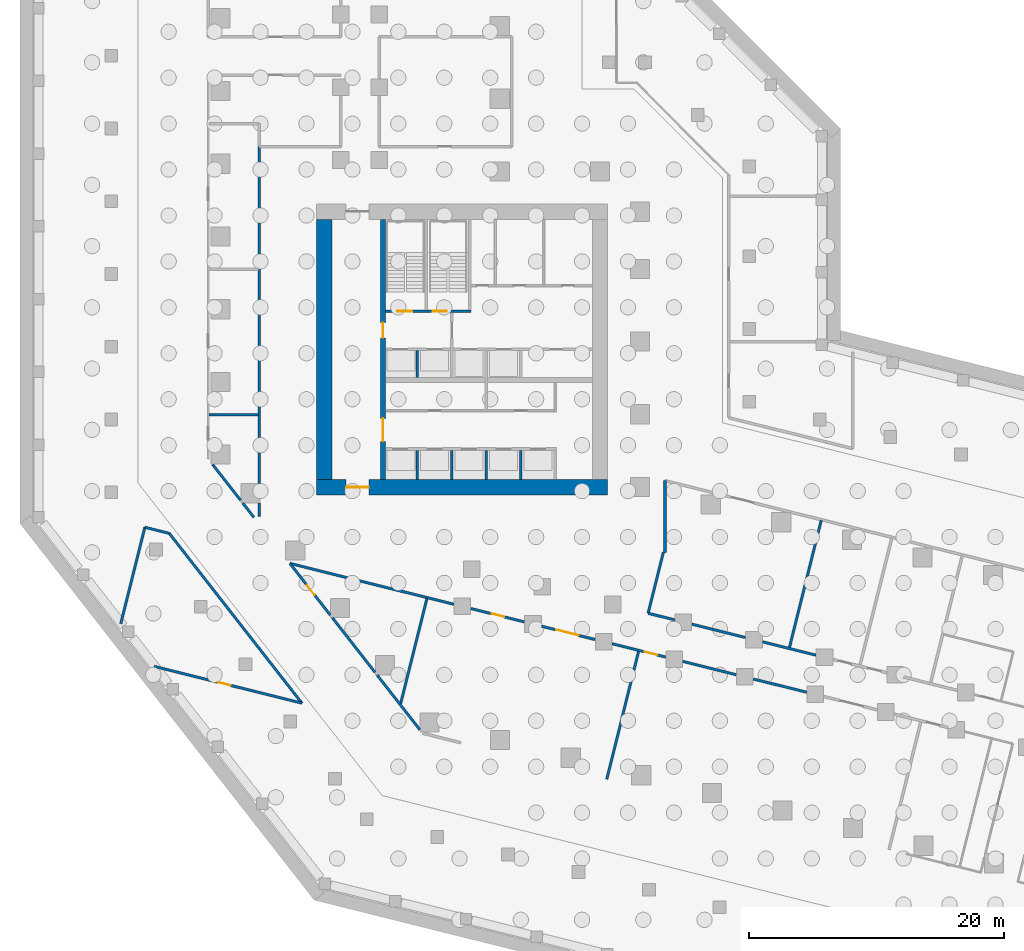
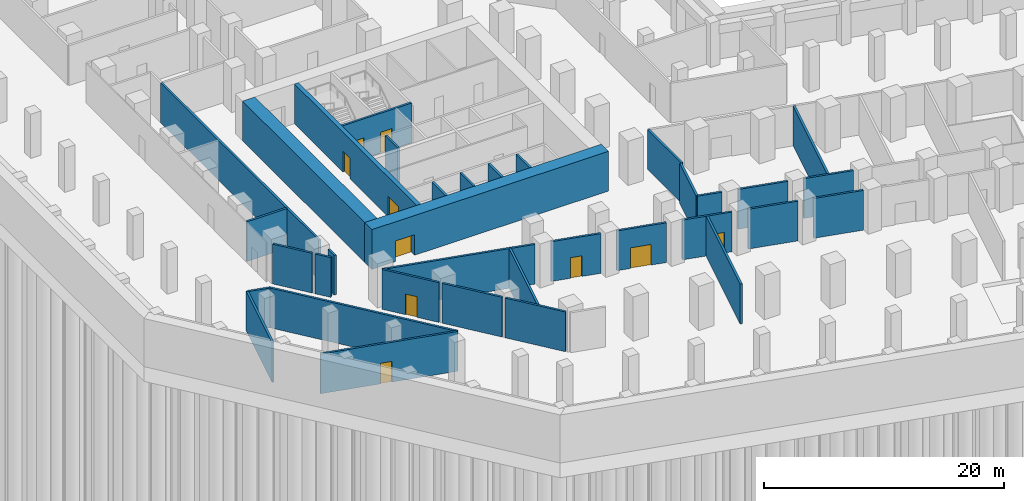
# One storey, part 6 of 15: 35 walls, 10 doors, 10 openings.
"""IFC4 building model written with IfcOpenShell, lengths in metres."""

from ifc_helpers import new_model, si_unit, direction, frame, frame_2d, origin, place, context, subcontext, project, spatial, rectangle, extrude, material, layer, layer_set, type_object, element, fill, save


model = new_model("IFC4")

# Units and contexts
model_context = context("Model", 3, precision=1e-05, world=origin(), true_north=direction((0.0, 1.0)))
body_context = subcontext(model_context, "Body", "Model", "MODEL_VIEW")
ifc_project = project(units=[si_unit("LENGTHUNIT", "METRE"), si_unit("AREAUNIT", "SQUARE_METRE"), si_unit("VOLUMEUNIT", "CUBIC_METRE"), si_unit("PLANEANGLEUNIT", "RADIAN"), si_unit("MASSUNIT", "GRAM", prefix="KILO")], contexts=[model_context])

# Site, building, storey
site_placement = place(None, origin())
site = spatial("IfcSite", under=ifc_project, at=site_placement, CompositionType="ELEMENT")
building_placement = place(site_placement, origin())
building = spatial("IfcBuilding", under=site, at=building_placement, Name="Meshkara Civic Tower", CompositionType="ELEMENT")
storey_placement = place(building_placement, frame((0.0, 0.0, -9.0)))
storey = spatial("IfcBuildingStorey", under=building, at=storey_placement, Name="B2", CompositionType="ELEMENT", Elevation=-9.0)

# Wall, opening, door
ifc_material_1 = material(Name="Concrete C80", Category="concrete")
ifc_layer_1 = layer(ifc_material_1, 1.199951171875)
ifc_layer_set_1 = layer_set([ifc_layer_1], Name="Core ring wall 1200 C80")
wall_type_1 = type_object("IfcWallType", Name="Core ring wall 1200 C80", PredefinedType="SHEAR", material=ifc_layer_set_1)
wall_1_placement = place(storey_placement, frame((8.0, 14.699951171875, 0.0), z_axis=(0.0, 0.0, 1.0), x_axis=(1.0, 0.0, 0.0)))
wall_1 = element("IfcWall", 1, at=wall_1_placement, inside=storey, type_object=wall_type_1, Name="B2-C001", PredefinedType="SHEAR", context=body_context, shape_type="SweptSolid", body=[
    extrude(rectangle(XDim=22.800048828125, YDim=1.199951171875, at=frame_2d((11.39990234375, 0.0))), origin(), (0.0, 0.0, 1.0), 4.050048828125),
])
opening_1_placement = place(wall_1_placement, frame((2.300048828125, 0.0, 0.0)))
opening_1 = element("IfcOpeningElement", 2, at=opening_1_placement, cuts=wall_1, Name="Opening B2-K022", PredefinedType="OPENING", context=body_context, shape_type="SweptSolid", body=[
    extrude(rectangle(XDim=1.800048828125, YDim=2.10009765625, at=frame_2d((0.89990234375, 1.050048828125))), frame((0.0, 0.60986328125, 0.0), z_axis=(0.0, -1.0, 0.0), x_axis=(1.0, 0.0, 0.0)), (0.0, 0.0, 1.0), 1.219970703125),
])
ifc_material_2 = material(Name="Fire-rated door leaf in steel frame", Category="steel")
door_type_1 = type_object("IfcDoorType", Name="Core double door 1800 EI 60", OperationType="DOUBLE_DOOR_SINGLE_SWING", PredefinedType="DOOR", material=ifc_material_2)
door_1_placement = place(opening_1_placement, origin())
door_1 = element("IfcDoor", 3, at=door_1_placement, inside=storey, type_object=door_type_1, Name="B2-K022", OperationType="DOUBLE_DOOR_SINGLE_SWING", OverallHeight=2.10009765625, OverallWidth=1.800048828125, PredefinedType="DOOR", context=body_context, shape_type="SweptSolid", body=[
    extrude(rectangle(XDim=1.800048828125, YDim=2.10009765625, at=frame_2d((0.89990234375, 1.050048828125))), frame((0.0, 0.02490234375, 0.0), z_axis=(0.0, -1.0, 0.0), x_axis=(1.0, 0.0, 0.0)), (0.0, 0.0, 1.0), 0.050048828125),
])
fill(opening_1, door_1)

# Wall
wall_2_placement = place(storey_placement, frame((8.60009765625, 15.300048828125, 0.0), z_axis=(0.0, 0.0, 1.0), x_axis=(0.0, 1.0, 0.0)))
element("IfcWall", 4, at=wall_2_placement, inside=storey, type_object=wall_type_1, Name="B2-C003", PredefinedType="SHEAR", context=body_context, shape_type="SweptSolid", body=[
    extrude(rectangle(XDim=20.39990234375, YDim=1.199951171875, at=frame_2d((10.199951171875, 0.0))), origin(), (0.0, 0.0, 1.0), 4.050048828125),
])

# Wall, openings, doors
ifc_material_3 = material(Name="Concrete C80", Category="concrete")
ifc_layer_2 = layer(ifc_material_3, 0.39990234375)
ifc_layer_set_2 = layer_set([ifc_layer_2], Name="Core shear wall 400 C80")
wall_type_2 = type_object("IfcWallType", Name="Core shear wall 400 C80", PredefinedType="SHEAR", material=ifc_layer_set_2)
wall_3_placement = place(storey_placement, frame((13.199951171875, 15.300048828125, 0.0), z_axis=(0.0, 0.0, 1.0), x_axis=(0.0, 1.0, 0.0)))
wall_3 = element("IfcWall", 5, at=wall_3_placement, inside=storey, type_object=wall_type_2, Name="B2-C011", PredefinedType="SHEAR", context=body_context, shape_type="SweptSolid", body=[
    extrude(rectangle(XDim=20.39990234375, YDim=0.39990234375, at=frame_2d((10.199951171875, 0.0))), origin(), (0.0, 0.0, 1.0), 4.050048828125),
])
opening_2_placement = place(wall_3_placement, frame((3.0, 0.0, 0.0)))
opening_2 = element("IfcOpeningElement", 6, at=opening_2_placement, cuts=wall_3, Name="Opening B2-K018", PredefinedType="OPENING", context=body_context, shape_type="SweptSolid", body=[
    extrude(rectangle(XDim=1.800048828125, YDim=2.10009765625, at=frame_2d((0.89990234375, 1.050048828125))), frame((0.0, 0.2099609375, 0.0), z_axis=(0.0, -1.0, 0.0), x_axis=(1.0, 0.0, 0.0)), (0.0, 0.0, 1.0), 0.419921875),
])
opening_3_placement = place(wall_3_placement, frame((11.10009765625, 0.0, 0.0)))
opening_3 = element("IfcOpeningElement", 7, at=opening_3_placement, cuts=wall_3, Name="Opening B2-K019", PredefinedType="OPENING", context=body_context, shape_type="SweptSolid", body=[
    extrude(rectangle(XDim=1.199951171875, YDim=2.10009765625, at=frame_2d((0.60009765625, 1.050048828125))), frame((0.0, 0.2099609375, 0.0), z_axis=(0.0, -1.0, 0.0), x_axis=(1.0, 0.0, 0.0)), (0.0, 0.0, 1.0), 0.419921875),
])
door_2_placement = place(opening_2_placement, origin())
door_2 = element("IfcDoor", 8, at=door_2_placement, inside=storey, type_object=door_type_1, Name="B2-K018", OperationType="DOUBLE_DOOR_SINGLE_SWING", OverallHeight=2.10009765625, OverallWidth=1.800048828125, PredefinedType="DOOR", context=body_context, shape_type="SweptSolid", body=[
    extrude(rectangle(XDim=1.800048828125, YDim=2.10009765625, at=frame_2d((0.89990234375, 1.050048828125))), frame((0.0, 0.02490234375, 0.0), z_axis=(0.0, -1.0, 0.0), x_axis=(1.0, 0.0, 0.0)), (0.0, 0.0, 1.0), 0.050048828125),
])
fill(opening_2, door_2)
ifc_material_4 = material(Name="Fire-rated door leaf in steel frame", Category="steel")
door_type_2 = type_object("IfcDoorType", Name="Fire-fighting lobby door 1200 EI 120", OperationType="SINGLE_SWING_LEFT", PredefinedType="DOOR", material=ifc_material_4)
door_3_placement = place(opening_3_placement, origin())
door_3 = element("IfcDoor", 9, at=door_3_placement, inside=storey, type_object=door_type_2, Name="B2-K019", OperationType="SINGLE_SWING_LEFT", OverallHeight=2.10009765625, OverallWidth=1.199951171875, PredefinedType="DOOR", context=body_context, shape_type="SweptSolid", body=[
    extrude(rectangle(XDim=1.199951171875, YDim=2.10009765625, at=frame_2d((0.60009765625, 1.050048828125))), frame((0.0, 0.02490234375, 0.0), z_axis=(0.0, -1.0, 0.0), x_axis=(1.0, 0.0, 0.0)), (0.0, 0.0, 1.0), 0.050048828125),
])
fill(opening_3, door_3)

# Walls
ifc_material_5 = material(Name="Fire-rated wall 200")
ifc_layer_3 = layer(ifc_material_5, 0.199951171875)
ifc_layer_set_3 = layer_set([ifc_layer_3], Name="Fire-rated wall 200")
wall_type_3 = type_object("IfcWallType", Name="Fire-rated wall 200", PredefinedType="PARTITIONING", material=ifc_layer_set_3)
wall_4_placement = place(storey_placement, frame((-7.347900390625, 4.009033203125, 0.0), z_axis=(0.0, 0.0, 1.0), x_axis=(0.24190854342, 0.970299055251, 0.0)))
element("IfcWall", 10, at=wall_4_placement, inside=storey, type_object=wall_type_3, Name="B2-R001", PredefinedType="PARTITIONING", context=body_context, shape_type="SweptSolid", body=[
    extrude(rectangle(XDim=7.787109375, YDim=0.199951171875, at=frame_2d((3.8935546875, 0.0))), origin(), (0.0, 0.0, 1.0), 4.050048828125),
])
wall_5_placement = place(storey_placement, frame((-5.464111328125, 11.56494140625, 0.0), z_axis=(0.0, 0.0, 1.0), x_axis=(0.970258984685, -0.242069210428, 0.0)))
element("IfcWall", 11, at=wall_5_placement, inside=storey, type_object=wall_type_3, Name="B2-R002", PredefinedType="PARTITIONING", context=body_context, shape_type="SweptSolid", body=[
    extrude(rectangle(XDim=1.970703125, YDim=0.199951171875, at=frame_2d((0.9853515625, 0.0))), origin(), (0.0, 0.0, 1.0), 4.050048828125),
])
wall_6_placement = place(storey_placement, frame((-3.552001953125, 11.087890625, 0.0), z_axis=(0.0, 0.0, 1.0), x_axis=(0.615667322889, -0.788006184954, 0.0)))
element("IfcWall", 12, at=wall_6_placement, inside=storey, type_object=wall_type_3, Name="B2-R003", PredefinedType="PARTITIONING", context=body_context, shape_type="SweptSolid", body=[
    extrude(rectangle(XDim=16.890380859375, YDim=0.199951171875, at=frame_2d((8.4453125, 0.0))), origin(), (0.0, 0.0, 1.0), 4.050048828125),
])
wall_7_placement = place(storey_placement, frame((2.0439453125, 13.672119140625, 0.0), z_axis=(0.0, 0.0, 1.0), x_axis=(-0.615705088294, 0.787976677477, 0.0)))
element("IfcWall", 13, at=wall_7_placement, inside=storey, type_object=wall_type_3, Name="B2-R010", PredefinedType="PARTITIONING", context=body_context, shape_type="SweptSolid", body=[
    extrude(rectangle(XDim=3.56982421875, YDim=0.199951171875, at=frame_2d((1.784912109375, 0.0))), origin(), (0.0, 0.0, 1.0), 4.050048828125),
])
wall_8_placement = place(storey_placement, frame((3.0791015625, 12.346923828125, 0.0), z_axis=(0.0, 0.0, 1.0), x_axis=(-0.61579508321, 0.787906349444, 0.0)))
element("IfcWall", 14, at=wall_8_placement, inside=storey, type_object=wall_type_3, Name="B2-R011", PredefinedType="PARTITIONING", context=body_context, shape_type="SweptSolid", body=[
    extrude(rectangle(XDim=1.411376953125, YDim=0.199951171875, at=frame_2d((0.70556640625, 0.0))), origin(), (0.0, 0.0, 1.0), 4.050048828125),
])
wall_9_placement = place(storey_placement, frame((3.5, 13.458984375, 0.0), z_axis=(0.0, 0.0, 1.0), x_axis=(0.0, -1.0, 0.0)))
element("IfcWall", 15, at=wall_9_placement, inside=storey, type_object=wall_type_3, Name="B2-R012", PredefinedType="PARTITIONING", context=body_context, shape_type="SweptSolid", body=[
    extrude(rectangle(XDim=1.035888671875, YDim=0.199951171875, at=frame_2d((0.51806640625, 0.0))), origin(), (0.0, 0.0, 1.0), 4.050048828125),
])
wall_10_placement = place(storey_placement, frame((3.5, 14.9990234375, 0.0), z_axis=(0.0, 0.0, 1.0), x_axis=(0.0, 1.0, 0.0)))
element("IfcWall", 16, at=wall_10_placement, inside=storey, type_object=wall_type_3, Name="B2-R013", PredefinedType="PARTITIONING", context=body_context, shape_type="SweptSolid", body=[
    extrude(rectangle(XDim=26.40087890625, YDim=0.199951171875, at=frame_2d((13.200439453125, 0.0))), origin(), (0.0, 0.0, 1.0), 4.050048828125),
])
wall_11_placement = place(storey_placement, frame((5.904052734375, 8.73095703125, 0.0), z_axis=(0.0, 0.0, 1.0), x_axis=(0.970295210336, -0.241923964912, 0.0)))
element("IfcWall", 17, at=wall_11_placement, inside=storey, type_object=wall_type_3, Name="B2-R014", PredefinedType="PARTITIONING", context=body_context, shape_type="SweptSolid", body=[
    extrude(rectangle(XDim=13.2431640625, YDim=0.199951171875, at=frame_2d((6.62158203125, 0.0))), origin(), (0.0, 0.0, 1.0), 4.050048828125),
])

# Wall, opening, door
wall_12_placement = place(storey_placement, frame((6.846923828125, -2.221923828125, 0.0), z_axis=(0.0, 0.0, 1.0), x_axis=(-0.970315491491, 0.241842607851, 0.0)))
wall_12 = element("IfcWall", 18, at=wall_12_placement, inside=storey, type_object=wall_type_3, Name="B2-R015", PredefinedType="PARTITIONING", context=body_context, shape_type="SweptSolid", body=[
    extrude(rectangle(XDim=11.937255859375, YDim=0.199951171875, at=frame_2d((5.96875, 0.0))), origin(), (0.0, 0.0, 1.0), 4.050048828125),
])
opening_4_placement = place(wall_12_placement, frame((5.75, 0.0, 0.0)))
opening_4 = element("IfcOpeningElement", 19, at=opening_4_placement, cuts=wall_12, Name="Opening B2-P003", PredefinedType="OPENING", context=body_context, shape_type="SweptSolid", body=[
    extrude(rectangle(XDim=1.0, YDim=2.10009765625, at=frame_2d((0.5, 1.050048828125))), frame((0.0, 0.10986328125, 0.0), z_axis=(0.0, -1.0, 0.0), x_axis=(1.0, 0.0, 0.0)), (0.0, 0.0, 1.0), 0.219970703125),
])
ifc_material_6 = material(Name="Door 1000 x 2100")
door_type_3 = type_object("IfcDoorType", Name="Door 1000 x 2100", OperationType="SINGLE_SWING_LEFT", PredefinedType="DOOR", material=ifc_material_6)
door_4_placement = place(opening_4_placement, origin())
door_4 = element("IfcDoor", 20, at=door_4_placement, inside=storey, type_object=door_type_3, Name="B2-P003", OperationType="SINGLE_SWING_RIGHT", OverallHeight=2.10009765625, OverallWidth=1.0, PredefinedType="DOOR", context=body_context, shape_type="SweptSolid", body=[
    extrude(rectangle(XDim=1.0, YDim=2.10009765625, at=frame_2d((0.5, 1.050048828125))), frame((0.0, 0.02490234375, 0.0), z_axis=(0.0, -1.0, 0.0), x_axis=(1.0, 0.0, 0.0)), (0.0, 0.0, 1.0), 0.050048828125),
])
fill(opening_4, door_4)

wall_13_placement = place(storey_placement, frame((9.06298828125, 4.68798828125, 0.0), z_axis=(0.0, 0.0, 1.0), x_axis=(-0.615688364166, 0.787989745003, 0.0)))
wall_13 = element("IfcWall", 21, at=wall_13_placement, inside=storey, type_object=wall_type_3, Name="B2-R016", PredefinedType="PARTITIONING", context=body_context, shape_type="SweptSolid", body=[
    extrude(rectangle(XDim=5.130859375, YDim=0.199951171875, at=frame_2d((2.5654296875, 0.0))), origin(), (0.0, 0.0, 1.0), 4.050048828125),
])
opening_5_placement = place(wall_13_placement, frame((1.97998046875, 0.0, 0.0)))
opening_5 = element("IfcOpeningElement", 22, at=opening_5_placement, cuts=wall_13, Name="Opening B2-P014", PredefinedType="OPENING", context=body_context, shape_type="SweptSolid", body=[
    extrude(rectangle(XDim=1.0, YDim=2.10009765625, at=frame_2d((0.5, 1.050048828125))), frame((0.0, 0.10986328125, 0.0), z_axis=(0.0, -1.0, 0.0), x_axis=(1.0, 0.0, 0.0)), (0.0, 0.0, 1.0), 0.219970703125),
])
door_5_placement = place(opening_5_placement, origin())
door_5 = element("IfcDoor", 23, at=door_5_placement, inside=storey, type_object=door_type_3, Name="B2-P014", OperationType="SINGLE_SWING_RIGHT", OverallHeight=2.10009765625, OverallWidth=1.0, PredefinedType="DOOR", context=body_context, shape_type="SweptSolid", body=[
    extrude(rectangle(XDim=1.0, YDim=2.10009765625, at=frame_2d((0.5, 1.050048828125))), frame((0.0, 0.02490234375, 0.0), z_axis=(0.0, -1.0, 0.0), x_axis=(1.0, 0.0, 0.0)), (0.0, 0.0, 1.0), 0.050048828125),
])
fill(opening_5, door_5)

# Walls
wall_14_placement = place(storey_placement, frame((12.572021484375, 0.196044921875, 0.0), z_axis=(0.0, 0.0, 1.0), x_axis=(-0.615644914463, 0.78802369209, 0.0)))
element("IfcWall", 24, at=wall_14_placement, inside=storey, type_object=wall_type_3, Name="B2-R026", PredefinedType="PARTITIONING", context=body_context, shape_type="SweptSolid", body=[
    extrude(rectangle(XDim=5.43017578125, YDim=0.199951171875, at=frame_2d((2.715087890625, 0.0))), origin(), (0.0, 0.0, 1.0), 4.050048828125),
])
wall_15_placement = place(storey_placement, frame((12.738037109375, -0.01611328125, 0.0), z_axis=(0.0, 0.0, 1.0), x_axis=(0.61566672729, -0.788006650294, 0.0)))
element("IfcWall", 25, at=wall_15_placement, inside=storey, type_object=wall_type_3, Name="B2-R027", PredefinedType="PARTITIONING", context=body_context, shape_type="SweptSolid", body=[
    extrude(rectangle(XDim=5.429931640625, YDim=0.199951171875, at=frame_2d((2.71484375, 0.0))), origin(), (0.0, 0.0, 1.0), 4.050048828125),
])

# Wall, opening, door
wall_16_placement = place(storey_placement, frame((20.093994140625, 5.193115234375, 0.0), z_axis=(0.0, 0.0, 1.0), x_axis=(0.970321828551, -0.241817181023, 0.0)))
wall_16 = element("IfcWall", 26, at=wall_16_placement, inside=storey, type_object=wall_type_3, Name="B2-R036", PredefinedType="PARTITIONING", context=body_context, shape_type="SweptSolid", body=[
    extrude(rectangle(XDim=4.318115234375, YDim=0.199951171875, at=frame_2d((2.1591796875, 0.0))), origin(), (0.0, 0.0, 1.0), 4.050048828125),
])
opening_6_placement = place(wall_16_placement, frame((1.679931640625, 0.0, 0.0)))
opening_6 = element("IfcOpeningElement", 27, at=opening_6_placement, cuts=wall_16, Name="Opening B2-P009", PredefinedType="OPENING", context=body_context, shape_type="SweptSolid", body=[
    extrude(rectangle(XDim=1.0, YDim=2.10009765625, at=frame_2d((0.5, 1.050048828125))), frame((0.0, 0.10986328125, 0.0), z_axis=(0.0, -1.0, 0.0), x_axis=(1.0, 0.0, 0.0)), (0.0, 0.0, 1.0), 0.219970703125),
])
door_6_placement = place(opening_6_placement, origin())
door_6 = element("IfcDoor", 28, at=door_6_placement, inside=storey, type_object=door_type_3, Name="B2-P009", OperationType="SINGLE_SWING_RIGHT", OverallHeight=2.10009765625, OverallWidth=1.0, PredefinedType="DOOR", context=body_context, shape_type="SweptSolid", body=[
    extrude(rectangle(XDim=1.0, YDim=2.10009765625, at=frame_2d((0.5, 1.050048828125))), frame((0.0, 0.02490234375, 0.0), z_axis=(0.0, -1.0, 0.0), x_axis=(1.0, 0.0, 0.0)), (0.0, 0.0, 1.0), 0.050048828125),
])
fill(opening_6, door_6)

wall_17_placement = place(storey_placement, frame((25.6240234375, 3.81396484375, 0.0), z_axis=(0.0, 0.0, 1.0), x_axis=(0.970295255208, -0.241923784941, 0.0)))
wall_17 = element("IfcWall", 29, at=wall_17_placement, inside=storey, type_object=wall_type_3, Name="B2-R041", PredefinedType="PARTITIONING", context=body_context, shape_type="SweptSolid", body=[
    extrude(rectangle(XDim=4.3193359375, YDim=0.199951171875, at=frame_2d((2.15966796875, 0.0))), origin(), (0.0, 0.0, 1.0), 4.050048828125),
])
opening_7_placement = place(wall_17_placement, frame((1.179931640625, 0.0, 0.0)))
opening_7 = element("IfcOpeningElement", 30, at=opening_7_placement, cuts=wall_17, Name="Opening B2-P010", PredefinedType="OPENING", context=body_context, shape_type="SweptSolid", body=[
    extrude(rectangle(XDim=1.800048828125, YDim=2.10009765625, at=frame_2d((0.89990234375, 1.050048828125))), frame((0.0, 0.10986328125, 0.0), z_axis=(0.0, -1.0, 0.0), x_axis=(1.0, 0.0, 0.0)), (0.0, 0.0, 1.0), 0.219970703125),
])
ifc_material_7 = material(Name="Door pair 1800 x 2100")
door_type_4 = type_object("IfcDoorType", Name="Door pair 1800 x 2100", OperationType="SINGLE_SWING_LEFT", PredefinedType="DOOR", material=ifc_material_7)
door_7_placement = place(opening_7_placement, origin())
door_7 = element("IfcDoor", 31, at=door_7_placement, inside=storey, type_object=door_type_4, Name="B2-P010", OperationType="DOUBLE_DOOR_SINGLE_SWING", OverallHeight=2.10009765625, OverallWidth=1.800048828125, PredefinedType="DOOR", context=body_context, shape_type="SweptSolid", body=[
    extrude(rectangle(XDim=1.800048828125, YDim=2.10009765625, at=frame_2d((0.89990234375, 1.050048828125))), frame((0.0, 0.02490234375, 0.0), z_axis=(0.0, -1.0, 0.0), x_axis=(1.0, 0.0, 0.0)), (0.0, 0.0, 1.0), 0.050048828125),
])
fill(opening_7, door_7)

wall_18_placement = place(storey_placement, frame((31.155029296875, 2.43505859375, 0.0), z_axis=(0.0, 0.0, 1.0), x_axis=(0.97028198557, -0.241976999897, 0.0)))
wall_18 = element("IfcWall", 32, at=wall_18_placement, inside=storey, type_object=wall_type_3, Name="B2-R042", PredefinedType="PARTITIONING", context=body_context, shape_type="SweptSolid", body=[
    extrude(rectangle(XDim=4.3193359375, YDim=0.199951171875, at=frame_2d((2.15966796875, 0.0))), origin(), (0.0, 0.0, 1.0), 4.050048828125),
])
opening_8_placement = place(wall_18_placement, frame((2.638916015625, 0.0, 0.0)))
opening_8 = element("IfcOpeningElement", 33, at=opening_8_placement, cuts=wall_18, Name="Opening B2-P011", PredefinedType="OPENING", context=body_context, shape_type="SweptSolid", body=[
    extrude(rectangle(XDim=1.0, YDim=2.10009765625, at=frame_2d((0.5, 1.050048828125))), frame((0.0, 0.10986328125, 0.0), z_axis=(0.0, -1.0, 0.0), x_axis=(1.0, 0.0, 0.0)), (0.0, 0.0, 1.0), 0.219970703125),
])
door_8_placement = place(opening_8_placement, origin())
door_8 = element("IfcDoor", 34, at=door_8_placement, inside=storey, type_object=door_type_3, Name="B2-P011", OperationType="SINGLE_SWING_RIGHT", OverallHeight=2.10009765625, OverallWidth=1.0, PredefinedType="DOOR", context=body_context, shape_type="SweptSolid", body=[
    extrude(rectangle(XDim=1.0, YDim=2.10009765625, at=frame_2d((0.5, 1.050048828125))), frame((0.0, 0.02490234375, 0.0), z_axis=(0.0, -1.0, 0.0), x_axis=(1.0, 0.0, 0.0)), (0.0, 0.0, 1.0), 0.050048828125),
])
fill(opening_8, door_8)

# Walls
wall_19_placement = place(storey_placement, frame((33.97607421875, 4.823974609375, 0.0), z_axis=(0.0, 0.0, 1.0), x_axis=(0.241940400058, 0.970291112409, 0.0)))
element("IfcWall", 35, at=wall_19_placement, inside=storey, type_object=wall_type_3, Name="B2-R046", PredefinedType="PARTITIONING", context=body_context, shape_type="SweptSolid", body=[
    extrude(rectangle(XDim=4.92236328125, YDim=0.199951171875, at=frame_2d((2.461181640625, 0.0))), origin(), (0.0, 0.0, 1.0), 4.050048828125),
])
wall_20_placement = place(storey_placement, frame((35.300048828125, 9.60009765625, 0.0), z_axis=(0.0, 0.0, 1.0), x_axis=(0.0, 1.0, 0.0)))
element("IfcWall", 36, at=wall_20_placement, inside=storey, type_object=wall_type_3, Name="B2-R047", PredefinedType="PARTITIONING", context=body_context, shape_type="SweptSolid", body=[
    extrude(rectangle(XDim=5.61279296875, YDim=0.199951171875, at=frame_2d((2.806396484375, 0.0))), origin(), (0.0, 0.0, 1.0), 4.050048828125),
])
wall_21_placement = place(storey_placement, frame((36.072021484375, 4.301025390625, 0.0), z_axis=(0.0, 0.0, 1.0), x_axis=(-0.970255412337, 0.242083528623, 0.0)))
element("IfcWall", 37, at=wall_21_placement, inside=storey, type_object=wall_type_3, Name="B2-R049", PredefinedType="PARTITIONING", context=body_context, shape_type="SweptSolid", body=[
    extrude(rectangle(XDim=2.16015625, YDim=0.199951171875, at=frame_2d((1.080078125, 0.0))), origin(), (0.0, 0.0, 1.0), 4.050048828125),
])
for number, where, z_axis, x_axis, name in (
    (38, (36.68603515625, 1.055908203125, 0.0), (0.0, 0.0, 1.0), (0.970335093604, -0.241763947107, 0.0), "B2-R050"),
    (39, (41.60205078125, 2.923095703125, 0.0), (0.0, 0.0, 1.0), (-0.970335093604, 0.241763947107, 0.0), "B2-R053"),
):
    element("IfcWall", number, at=place(storey_placement, frame(where, z_axis=z_axis, x_axis=x_axis)), inside=storey, type_object=wall_type_3, Name=name, PredefinedType="PARTITIONING", context=body_context, shape_type="SweptSolid", body=[
        extrude(rectangle(XDim=4.318115234375, YDim=0.199951171875, at=frame_2d((2.1591796875, 0.0))), origin(), (0.0, 0.0, 1.0), 4.050048828125),
    ])
wall_22_placement = place(storey_placement, frame((42.216064453125, -0.322998046875, 0.0), z_axis=(0.0, 0.0, 1.0), x_axis=(0.970348308202, -0.24171090329, 0.0)))
element("IfcWall", 40, at=wall_22_placement, inside=storey, type_object=wall_type_3, Name="B2-R054", PredefinedType="PARTITIONING", context=body_context, shape_type="SweptSolid", body=[
    extrude(rectangle(XDim=4.319091796875, YDim=0.199951171875, at=frame_2d((2.15966796875, 0.0))), origin(), (0.0, 0.0, 1.0), 4.050048828125),
])
wall_23_placement = place(storey_placement, frame((42.94189453125, 2.589111328125, 0.0), z_axis=(0.0, 0.0, 1.0), x_axis=(0.970285294909, -0.241963729685, 0.0)))
element("IfcWall", 41, at=wall_23_placement, inside=storey, type_object=wall_type_3, Name="B2-R055", PredefinedType="PARTITIONING", context=body_context, shape_type="SweptSolid", body=[
    extrude(rectangle(XDim=4.319580078125, YDim=0.199951171875, at=frame_2d((2.15966796875, 0.0))), origin(), (0.0, 0.0, 1.0), 4.050048828125),
])
wall_24_placement = place(storey_placement, frame((3.449951171875, 20.39990234375, 0.0), z_axis=(0.0, 0.0, 1.0), x_axis=(-1.0, 0.0, 0.0)))
element("IfcWall", 42, at=wall_24_placement, inside=storey, type_object=wall_type_3, Name="B2-R076", PredefinedType="PARTITIONING", context=body_context, shape_type="SweptSolid", body=[
    extrude(rectangle(XDim=3.89990234375, YDim=0.199951171875, at=frame_2d((1.949951171875, 0.0))), origin(), (0.0, 0.0, 1.0), 4.050048828125),
])
wall_25_placement = place(storey_placement, frame((14.587890625, -2.2529296875, 0.0), z_axis=(0.0, 0.0, 1.0), x_axis=(0.241941319925, 0.970290883041, 0.0)))
element("IfcWall", 43, at=wall_25_placement, inside=storey, type_object=wall_type_3, Name="B2-R080", PredefinedType="PARTITIONING", context=body_context, shape_type="SweptSolid", body=[
    extrude(rectangle(XDim=8.506591796875, YDim=0.199951171875, at=frame_2d((4.25341796875, 0.0))), origin(), (0.0, 0.0, 1.0), 4.050048828125),
])
wall_26_placement = place(storey_placement, frame((30.73388671875, -8.177978515625, 0.0), z_axis=(0.0, 0.0, 1.0), x_axis=(0.241958331182, 0.970286641139, 0.0)))
element("IfcWall", 44, at=wall_26_placement, inside=storey, type_object=wall_type_3, Name="B2-R082", PredefinedType="PARTITIONING", context=body_context, shape_type="SweptSolid", body=[
    extrude(rectangle(XDim=10.349609375, YDim=0.199951171875, at=frame_2d((5.1748046875, 0.0))), origin(), (0.0, 0.0, 1.0), 4.050048828125),
])
wall_27_placement = place(storey_placement, frame((45.050048828125, 2.114990234375, 0.0), z_axis=(0.0, 0.0, 1.0), x_axis=(0.241961075032, 0.970285956906, 0.0)))
element("IfcWall", 45, at=wall_27_placement, inside=storey, type_object=wall_type_3, Name="B2-R083", PredefinedType="PARTITIONING", context=body_context, shape_type="SweptSolid", body=[
    extrude(rectangle(XDim=10.298828125, YDim=0.199951171875, at=frame_2d((5.1494140625, 0.0))), origin(), (0.0, 0.0, 1.0), 4.050048828125),
])
ifc_material_8 = material(Name="Concrete C40/50", Category="concrete")
ifc_layer_4 = layer(ifc_material_8, 0.199951171875)
ifc_layer_set_4 = layer_set([ifc_layer_4], Name="Shaft wall 200 C40/50")
wall_type_4 = type_object("IfcWallType", Name="Shaft wall 200 C40/50", PredefinedType="SOLIDWALL", material=ifc_layer_set_4)
wall_28_placement = place(storey_placement, frame((15.89990234375, 15.300048828125, 0.0), z_axis=(0.0, 0.0, 1.0), x_axis=(0.0, 1.0, 0.0)))
element("IfcWall", 46, at=wall_28_placement, inside=storey, type_object=wall_type_4, Name="B2-C012", PredefinedType="SOLIDWALL", context=body_context, shape_type="SweptSolid", body=[
    extrude(rectangle(XDim=2.300048828125, YDim=0.199951171875, at=frame_2d((1.14990234375, 0.0))), origin(), (0.0, 0.0, 1.0), 4.050048828125),
])
wall_29_placement = place(storey_placement, frame((15.89990234375, 23.300048828125, 0.0), z_axis=(0.0, 0.0, 1.0), x_axis=(0.0, 1.0, 0.0)))
element("IfcWall", 47, at=wall_29_placement, inside=storey, type_object=wall_type_4, Name="B2-C013", PredefinedType="SOLIDWALL", context=body_context, shape_type="SweptSolid", body=[
    extrude(rectangle(XDim=2.099853515625, YDim=0.199951171875, at=frame_2d((1.0498046875, 0.0))), origin(), (0.0, 0.0, 1.0), 4.050048828125),
])
for number, where, z_axis, x_axis, name in (
    (48, (18.60009765625, 15.300048828125, 0.0), (0.0, 0.0, 1.0), (0.0, 1.0, 0.0), "B2-C015"),
    (49, (21.300048828125, 15.300048828125, 0.0), (0.0, 0.0, 1.0), (0.0, 1.0, 0.0), "B2-C018"),
    (50, (24.0, 15.300048828125, 0.0), (0.0, 0.0, 1.0), (0.0, 1.0, 0.0), "B2-C021"),
):
    element("IfcWall", number, at=place(storey_placement, frame(where, z_axis=z_axis, x_axis=x_axis)), inside=storey, type_object=wall_type_4, Name=name, PredefinedType="SOLIDWALL", context=body_context, shape_type="SweptSolid", body=[
        extrude(rectangle(XDim=2.300048828125, YDim=0.199951171875, at=frame_2d((1.14990234375, 0.0))), origin(), (0.0, 0.0, 1.0), 4.050048828125),
    ])

# Wall, openings, doors
ifc_material_9 = material(Name="Concrete C40/50", Category="concrete")
ifc_layer_5 = layer(ifc_material_9, 0.199951171875)
ifc_layer_set_5 = layer_set([ifc_layer_5], Name="Stair enclosure wall 200 C40/50")
wall_type_5 = type_object("IfcWallType", Name="Stair enclosure wall 200 C40/50", PredefinedType="SOLIDWALL", material=ifc_layer_set_5)
wall_30_placement = place(storey_placement, frame((13.39990234375, 28.5, 0.0), z_axis=(0.0, 0.0, 1.0), x_axis=(1.0, 0.0, 0.0)))
wall_30 = element("IfcWall", 51, at=wall_30_placement, inside=storey, type_object=wall_type_5, Name="B2-C009", PredefinedType="SOLIDWALL", context=body_context, shape_type="SweptSolid", body=[
    extrude(rectangle(XDim=6.7001953125, YDim=0.199951171875, at=frame_2d((3.35009765625, 0.0))), origin(), (0.0, 0.0, 1.0), 4.050048828125),
])
opening_9_placement = place(wall_30_placement, frame((0.89990234375, 0.0, 0.0)))
opening_9 = element("IfcOpeningElement", 52, at=opening_9_placement, cuts=wall_30, Name="Opening B2-K016", PredefinedType="OPENING", context=body_context, shape_type="SweptSolid", body=[
    extrude(rectangle(XDim=1.199951171875, YDim=2.10009765625, at=frame_2d((0.60009765625, 1.050048828125))), frame((0.0, 0.10986328125, 0.0), z_axis=(0.0, -1.0, 0.0), x_axis=(1.0, 0.0, 0.0)), (0.0, 0.0, 1.0), 0.219970703125),
])
opening_10_placement = place(wall_30_placement, frame((3.699951171875, 0.0, 0.0)))
opening_10 = element("IfcOpeningElement", 53, at=opening_10_placement, cuts=wall_30, Name="Opening B2-K017", PredefinedType="OPENING", context=body_context, shape_type="SweptSolid", body=[
    extrude(rectangle(XDim=1.10009765625, YDim=2.10009765625, at=frame_2d((0.550048828125, 1.050048828125))), frame((0.0, 0.10986328125, 0.0), z_axis=(0.0, -1.0, 0.0), x_axis=(1.0, 0.0, 0.0)), (0.0, 0.0, 1.0), 0.219970703125),
])
ifc_material_10 = material(Name="Fire-rated door leaf in steel frame", Category="steel")
door_type_5 = type_object("IfcDoorType", Name="Stair door 1100 EI 120", OperationType="SINGLE_SWING_LEFT", PredefinedType="DOOR", material=ifc_material_10)
door_9_placement = place(opening_10_placement, origin())
door_9 = element("IfcDoor", 54, at=door_9_placement, inside=storey, type_object=door_type_5, Name="B2-K017", OperationType="SINGLE_SWING_LEFT", OverallHeight=2.10009765625, OverallWidth=1.10009765625, PredefinedType="DOOR", context=body_context, shape_type="SweptSolid", body=[
    extrude(rectangle(XDim=1.10009765625, YDim=2.10009765625, at=frame_2d((0.550048828125, 1.050048828125))), frame((0.0, 0.02490234375, 0.0), z_axis=(0.0, -1.0, 0.0), x_axis=(1.0, 0.0, 0.0)), (0.0, 0.0, 1.0), 0.050048828125),
])
fill(opening_10, door_9)
ifc_material_11 = material(Name="Fire-rated door leaf in steel frame", Category="steel")
door_type_6 = type_object("IfcDoorType", Name="Stair door 1200 EI 120", OperationType="SINGLE_SWING_LEFT", PredefinedType="DOOR", material=ifc_material_11)
door_10_placement = place(opening_9_placement, origin())
door_10 = element("IfcDoor", 55, at=door_10_placement, inside=storey, type_object=door_type_6, Name="B2-K016", OperationType="SINGLE_SWING_RIGHT", OverallHeight=2.10009765625, OverallWidth=1.199951171875, PredefinedType="DOOR", context=body_context, shape_type="SweptSolid", body=[
    extrude(rectangle(XDim=1.199951171875, YDim=2.10009765625, at=frame_2d((0.60009765625, 1.050048828125))), frame((0.0, 0.02490234375, 0.0), z_axis=(0.0, -1.0, 0.0), x_axis=(1.0, 0.0, 0.0)), (0.0, 0.0, 1.0), 0.050048828125),
])
fill(opening_9, door_10)

save(model, "model.ifc")
